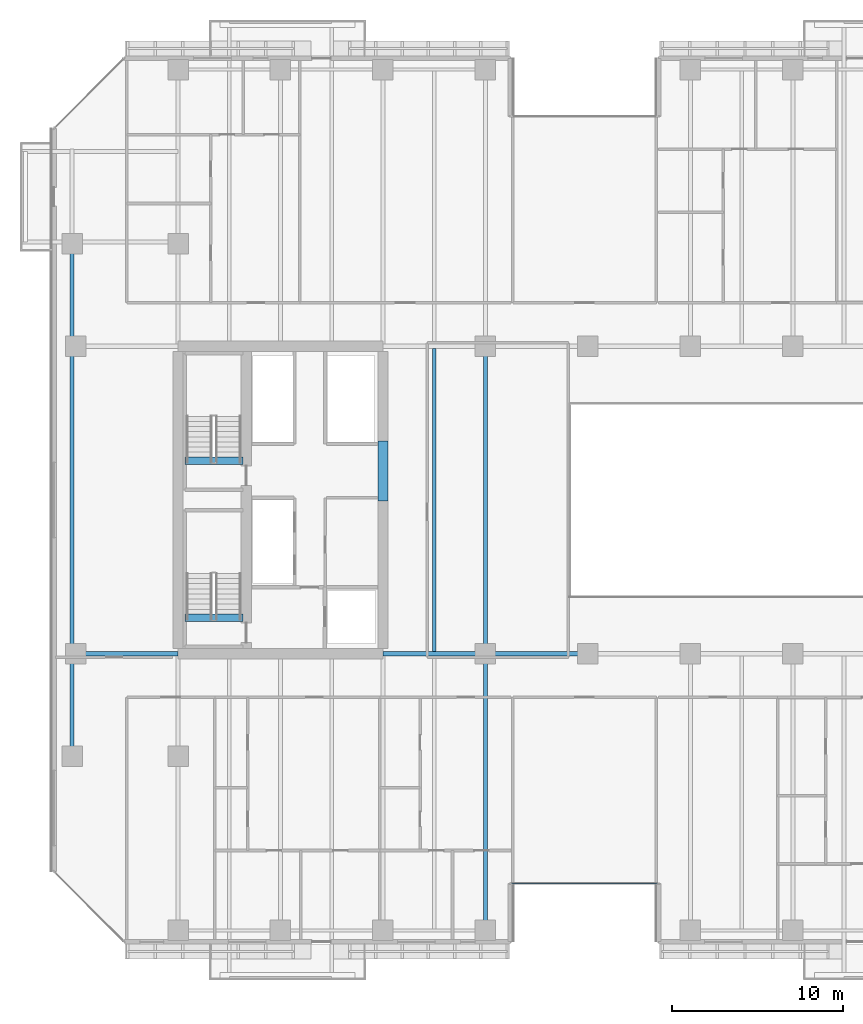
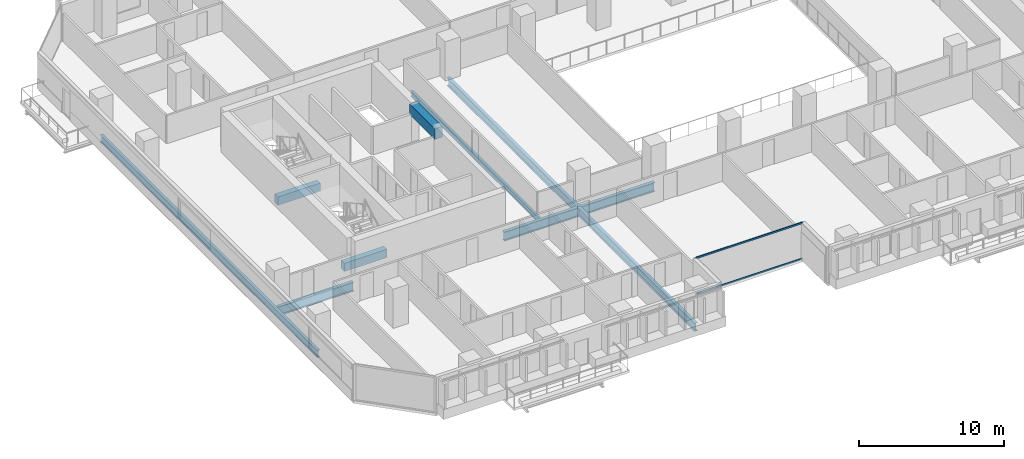
# One storey, part 5 of 33: 10 beams, 2 members, 1 element without a shape of its own.
"""IFC4 building model written with IfcOpenShell, lengths in metres."""

import ifcopenshell
import ifcopenshell.guid

model = None  # the IFC model being written
_history = None  # IfcOwnerHistory: only IFC2X3 demands one
_inside = {}  # id of a spatial element -> (the spatial element, [elements in it])
_under = {}  # id of a project, library or spatial element -> (it, [spatial elements below it])
_declared = {}  # id of a project -> (the project, [libraries it declares])
_typed = {}  # id of a type object -> (the type object, [elements of that type])
_made_of = {}  # id of a material, layer set ... -> (it, [elements and type objects made of it])


def new_model(schema):
    """Start an empty IFC model of exactly this schema.

    Asked for "IFC4X3", IfcOpenShell would pick the latest addendum, in which some entities
    have other attributes; the version numbers below select the first issue.
    IFC2X3 requires an IfcOwnerHistory on every rooted entity: one is made here for all.
    """
    global model, _history
    if schema == "IFC4X3":
        model = ifcopenshell.file(schema_version=(4, 3, 0, 0))
    else:
        model = ifcopenshell.file(schema=schema)
    _inside.clear()
    _under.clear()
    _declared.clear()
    _typed.clear()
    _made_of.clear()
    _history = None
    if model.schema == "IFC2X3":
        org = make("IfcOrganization", Name="unknown")
        user = make(
            "IfcPersonAndOrganization",
            ThePerson=make("IfcPerson", FamilyName="unknown"),
            TheOrganization=org,
        )
        app = make(
            "IfcApplication",
            ApplicationDeveloper=org,
            Version="unknown",
            ApplicationFullName="unknown",
            ApplicationIdentifier="unknown",
        )
        _history = make(
            "IfcOwnerHistory",
            OwningUser=user,
            OwningApplication=app,
            ChangeAction="ADDED",
            CreationDate=0,
        )
    return model


def make(cls, **values):
    """One entity of the class cls with the attributes given. An attribute that is None is left unset."""
    return model.create_entity(
        cls, **{name: value for name, value in values.items() if value is not None}
    )


def rooted(cls, **values):
    """An entity with a GlobalId (a new one), such as an element, a storey or a relation."""
    return make(cls, GlobalId=ifcopenshell.guid.new(), OwnerHistory=_history, **values)


def si_unit(unit_type, name, prefix=None):
    """IfcSIUnit, for example si_unit("LENGTHUNIT", "METRE", prefix="MILLI")."""
    return make("IfcSIUnit", UnitType=unit_type, Prefix=prefix, Name=name)


def assignment(units):
    """IfcUnitAssignment: the units of a project."""
    return None if units is None else make("IfcUnitAssignment", Units=units)


def point(xyz):
    """IfcCartesianPoint."""
    return None if xyz is None else make("IfcCartesianPoint", Coordinates=xyz)


def direction(xyz):
    """IfcDirection."""
    return None if xyz is None else make("IfcDirection", DirectionRatios=xyz)


def frame(location, z_axis=None, x_axis=None):
    """IfcAxis2Placement3D, a coordinate frame: its origin and axes. An axis left out is left unset."""
    return make(
        "IfcAxis2Placement3D",
        Location=point(location),
        Axis=direction(z_axis),
        RefDirection=direction(x_axis),
    )


def frame_2d(location, x_axis=None):
    """IfcAxis2Placement2D, a coordinate frame in the plane: its origin and x axis."""
    return make(
        "IfcAxis2Placement2D", Location=point(location), RefDirection=direction(x_axis)
    )


def origin():
    """The frame at (0, 0, 0) with its axes left unset."""
    return frame((0.0, 0.0, 0.0))


def origin_2d():
    """The frame at (0, 0) in the plane with its x axis left unset."""
    return frame_2d((0.0, 0.0))


def place(relative_to, where):
    """IfcLocalPlacement: puts the frame where relative to a parent placement (None: the world)."""
    return make(
        "IfcLocalPlacement", PlacementRelTo=relative_to, RelativePlacement=where
    )


def context(
    kind, dimensions, precision=None, world=None, true_north=None, identifier=None
):
    """IfcGeometricRepresentationContext, for example the 3D "Model" context."""
    return make(
        "IfcGeometricRepresentationContext",
        ContextIdentifier=identifier,
        ContextType=kind,
        CoordinateSpaceDimension=dimensions,
        Precision=precision,
        WorldCoordinateSystem=world,
        TrueNorth=true_north,
    )


def subcontext(parent, identifier, kind, view, scale=None):
    """IfcGeometricRepresentationSubContext, for example "Body" below "Model"."""
    return make(
        "IfcGeometricRepresentationSubContext",
        ContextIdentifier=identifier,
        ContextType=kind,
        ParentContext=parent,
        TargetScale=scale,
        TargetView=view,
    )


def project(units=None, contexts=None):
    """IfcProject with its units and contexts."""
    return rooted(
        "IfcProject",
        Name="project",
        RepresentationContexts=contexts,
        UnitsInContext=assignment(units),
    )


def spatial(cls, under=None, at=None, **own):
    """A site, building, storey or space (cls), placed at a placement, below another one or the project."""
    s = rooted(cls, ObjectPlacement=at, **own)
    if under is not None:
        _under.setdefault(under.id(), (under, []))[1].append(s)
    return s


def profile(cls, at=None, kind="AREA", **sizes):
    """A parametric profile (cls). Its sizes go by their IFC names, for example OverallWidth=200.0."""
    return make(cls, ProfileType=kind, Position=at, **sizes)


def rectangle(**sizes):
    """IfcRectangleProfileDef."""
    return profile("IfcRectangleProfileDef", **sizes)


def hollow_rectangle(**sizes):
    """IfcRectangleHollowProfileDef."""
    return profile("IfcRectangleHollowProfileDef", **sizes)


def i_section(**sizes):
    """IfcIShapeProfileDef."""
    return profile("IfcIShapeProfileDef", **sizes)


def extrude(swept, where, along, depth):
    """IfcExtrudedAreaSolid: the profile swept, set in the frame where, extruded along a direction by depth."""
    return make(
        "IfcExtrudedAreaSolid",
        SweptArea=swept,
        Position=where,
        ExtrudedDirection=direction(along),
        Depth=depth,
    )


def shape(context_of_items, identifier, shape_type, items):
    """IfcShapeRepresentation: the items that make up one representation, for example the "Body"."""
    return make(
        "IfcShapeRepresentation",
        ContextOfItems=context_of_items,
        RepresentationIdentifier=identifier,
        RepresentationType=shape_type,
        Items=items,
    )


def material(Name=None, Category=None):
    """IfcMaterial."""
    return make("IfcMaterial", Name=Name, Category=Category)


def layer(
    of_material, thickness, ventilated=None, Name=None, Category=None, Priority=None
):
    """IfcMaterialLayer: one layer of a wall or slab, of a material (None: an air gap)."""
    return make(
        "IfcMaterialLayer",
        Material=of_material,
        LayerThickness=thickness,
        IsVentilated=ventilated,
        Name=Name,
        Category=Category,
        Priority=Priority,
    )


def layer_set(layers, Name=None):
    """IfcMaterialLayerSet."""
    return make("IfcMaterialLayerSet", MaterialLayers=layers, LayerSetName=Name)


def material_profile(
    of_material, cross_section, Name=None, Category=None, Priority=None
):
    """IfcMaterialProfile: a cross section and its material."""
    return make(
        "IfcMaterialProfile",
        Name=Name,
        Material=of_material,
        Profile=cross_section,
        Priority=Priority,
        Category=Category,
    )


def profile_set(profiles, Name=None, composite=None):
    """IfcMaterialProfileSet."""
    return make(
        "IfcMaterialProfileSet",
        Name=Name,
        MaterialProfiles=profiles,
        CompositeProfile=composite,
    )


def made_of(thing, what):
    """Note that an element or type object is made of a material, layer set ...; save() writes the relation."""
    if what is not None:
        _made_of.setdefault(what.id(), (what, []))[1].append(thing)
    return thing


def type_object(cls, material=None, **own):
    """A type object (cls), such as IfcWallType, which elements share."""
    return made_of(rooted(cls, **own), material)


def element(
    cls,
    number,
    at=None,
    inside=None,
    cuts=None,
    type_object=None,
    material=None,
    context=None,
    identifier="Body",
    shape_type=None,
    held_by="IfcProductDefinitionShape",
    body=None,
    shapes=None,
    **own,
):
    """One element of the class cls, such as IfcWall. Its Tag is "e" and its number.

    at: its placement. inside: the storey or other place that contains it. cuts: it is an
    opening in that element (IfcRelVoidsElement). A single representation is given by context,
    identifier, shape_type and body (its items); several are given by shapes. held_by: the class
    of the entity that holds the representations. save() writes the other relations.
    """
    e = rooted(cls, Tag="e%d" % number, ObjectPlacement=at, **own)
    if body is not None:
        shapes = [shape(context, identifier, shape_type, body)]
    if shapes is not None:
        e.Representation = make(held_by, Representations=shapes)
    if inside is not None:
        _inside.setdefault(inside.id(), (inside, []))[1].append(e)
    if cuts is not None:
        rooted(
            "IfcRelVoidsElement", RelatingBuildingElement=cuts, RelatedOpeningElement=e
        )
    if type_object is not None:
        _typed.setdefault(type_object.id(), (type_object, []))[1].append(e)
    return made_of(e, material)


def aggregate(whole, parts):
    """IfcRelAggregates: a whole, such as a stair, and the parts it consists of."""
    return rooted("IfcRelAggregates", RelatingObject=whole, RelatedObjects=parts)


def save(model, path):
    """Write the relations noted so far, then the file.

    IfcRelAggregates (storeys below a building ...), IfcRelContainedInSpatialStructure (elements
    in a storey), IfcRelDefinesByType, IfcRelAssociatesMaterial and IfcRelDeclares: one each for
    every whole, place, type object, material and project.
    """
    for whole, parts in _under.values():
        aggregate(whole, parts)
    for where, things in _inside.values():
        rooted(
            "IfcRelContainedInSpatialStructure",
            RelatedElements=things,
            RelatingStructure=where,
        )
    for kind, things in _typed.values():
        rooted("IfcRelDefinesByType", RelatedObjects=things, RelatingType=kind)
    for what, things in _made_of.values():
        rooted("IfcRelAssociatesMaterial", RelatedObjects=things, RelatingMaterial=what)
    for by, libraries in _declared.values():
        rooted("IfcRelDeclares", RelatingContext=by, RelatedDefinitions=libraries)
    model.write(path)


model = new_model("IFC4")

# Units and contexts
model_context = context("Model", 3, precision=1e-05, world=origin(), true_north=direction((0.0, 1.0)))
body_context = subcontext(model_context, "Body", "Model", "MODEL_VIEW")
ifc_project = project(units=[si_unit("LENGTHUNIT", "METRE"), si_unit("AREAUNIT", "SQUARE_METRE"), si_unit("VOLUMEUNIT", "CUBIC_METRE"), si_unit("PLANEANGLEUNIT", "RADIAN"), si_unit("MASSUNIT", "GRAM", prefix="KILO")], contexts=[model_context])

# Site, building, storey
site_placement = place(None, origin())
site = spatial("IfcSite", under=ifc_project, at=site_placement, CompositionType="ELEMENT")
building_placement = place(site_placement, origin())
building = spatial("IfcBuilding", under=site, at=building_placement, Name="Tanjung Sevakor Pilgrim Tower", CompositionType="ELEMENT")
storey_placement = place(building_placement, frame((0.0, 0.0, 52.139892578125)))
storey = spatial("IfcBuildingStorey", under=building, at=storey_placement, Name="L14", CompositionType="ELEMENT", Elevation=52.139892578125)

# Beams
ifc_material_1 = material(Name="Steel S355J2", Category="steel")
ifc_material_profile_1 = material_profile(ifc_material_1, i_section(OverallWidth=0.26806640625, OverallDepth=0.769775390625, WebThickness=0.015625, FlangeThickness=0.025390625, FilletRadius=0.0166015625, at=origin_2d()))
ifc_profile_set_1 = profile_set([ifc_material_profile_1], Name="Steel S355J2")
beam_type_1 = type_object("IfcBeamType", Name="BM-B-G1-UB_762x267x197", PredefinedType="BEAM", material=ifc_profile_set_1)
for number, where, z_axis, x_axis, name in (
    (1, (18.0, 24.60009765625, -0.604736328125), (1.0, 0.0, 0.0), (0.0, 1.0, 0.0), "L14 Primary Floor Girder MAIN Y246-01"),
    (2, (36.0, 24.60009765625, -0.604736328125), (1.0, 0.0, 0.0), (0.0, 1.0, 0.0), "L14 Primary Floor Girder MAIN Y246-02"),
    (3, (42.0, 24.60009765625, -0.604736328125), (1.0, 0.0, 0.0), (0.0, 1.0, 0.0), "L14 Primary Floor Girder MAIN Y246-03"),
):
    element("IfcBeam", number, at=place(storey_placement, frame(where, z_axis=z_axis, x_axis=x_axis)), inside=storey, type_object=beam_type_1, Name=name, PredefinedType="BEAM", context=body_context, shape_type="SweptSolid", body=[
        extrude(i_section(OverallWidth=0.26806640625, OverallDepth=0.769775390625, WebThickness=0.015625, FlangeThickness=0.025390625, FilletRadius=0.0166015625, at=origin_2d()), origin(), (0.0, 0.0, 1.0), 6.0),
    ])
ifc_material_2 = material(Name="Steel S355J2", Category="steel")
ifc_material_profile_2 = material_profile(ifc_material_2, i_section(OverallWidth=0.25439453125, OverallDepth=0.6875, WebThickness=0.01318359375, FlangeThickness=0.02099609375, FilletRadius=0.01513671875, at=origin_2d()))
ifc_profile_set_2 = profile_set([ifc_material_profile_2], Name="Steel S355J2")
beam_type_2 = type_object("IfcBeamType", Name="BM-B-G2-UB_686x254x152", PredefinedType="BEAM", material=ifc_profile_set_2)
beam_1_placement = place(storey_placement, frame((42.0, 8.39990234375, -0.5634765625), z_axis=(0.0, 1.0, 0.0), x_axis=(-1.0, 0.0, 0.0)))
element("IfcBeam", 4, at=beam_1_placement, inside=storey, type_object=beam_type_2, Name="L14 MAIN Girder 010", PredefinedType="BEAM", context=body_context, shape_type="SweptSolid", body=[
    extrude(i_section(OverallWidth=0.25439453125, OverallDepth=0.6875, WebThickness=0.01318359375, FlangeThickness=0.02099609375, FilletRadius=0.01513671875, at=origin_2d()), origin(), (0.0, 0.0, 1.0), 16.2001953125),
])
beam_2_placement = place(storey_placement, frame((42.0, 24.60009765625, -0.5634765625), z_axis=(0.0, 1.0, 0.0), x_axis=(-1.0, 0.0, 0.0)))
element("IfcBeam", 5, at=beam_2_placement, inside=storey, type_object=beam_type_2, Name="L14 MAIN Girder 011", PredefinedType="BEAM", context=body_context, shape_type="SweptSolid", body=[
    extrude(i_section(OverallWidth=0.25439453125, OverallDepth=0.6875, WebThickness=0.01318359375, FlangeThickness=0.02099609375, FilletRadius=0.01513671875, at=origin_2d()), origin(), (0.0, 0.0, 1.0), 18.0),
])
ifc_material_3 = material(Name="Steel S355J2", Category="steel")
ifc_material_profile_3 = material_profile(ifc_material_3, i_section(OverallWidth=0.22900390625, OverallDepth=0.6123046875, WebThickness=0.011962890625, FlangeThickness=0.01953125, FilletRadius=0.0126953125, at=origin_2d()))
ifc_profile_set_3 = profile_set([ifc_material_profile_3], Name="Steel S355J2")
beam_type_3 = type_object("IfcBeamType", Name="BM-B-G4-UB_610x229x125", PredefinedType="BEAM", material=ifc_profile_set_3)
beam_3_placement = place(storey_placement, frame((17.800048828125, 18.60009765625, -0.52587890625), z_axis=(0.0, 1.0, 0.0), x_axis=(-1.0, 0.0, 0.0)))
element("IfcBeam", 6, at=beam_3_placement, inside=storey, type_object=beam_type_3, Name="L14 Short-End Edge Girder W", PredefinedType="BEAM", context=body_context, shape_type="SweptSolid", body=[
    extrude(i_section(OverallWidth=0.22900390625, OverallDepth=0.6123046875, WebThickness=0.011962890625, FlangeThickness=0.01953125, FilletRadius=0.0126953125, at=origin_2d()), origin(), (0.0, 0.0, 1.0), 30.0),
])
ifc_material_4 = material(Name="Steel S355J2", Category="steel")
ifc_material_profile_4 = material_profile(ifc_material_4, i_section(OverallWidth=0.19140625, OverallDepth=0.4599609375, WebThickness=0.010009765625, FlangeThickness=0.01611328125, FilletRadius=0.01025390625, at=origin_2d()))
ifc_profile_set_4 = profile_set([ifc_material_profile_4], Name="Steel S355J2")
beam_type_4 = type_object("IfcBeamType", Name="BM-B-J2-UB_457x191x82", PredefinedType="JOIST", material=ifc_profile_set_4)
beam_4_placement = place(storey_placement, frame((39.0, 24.73388671875, -0.449951171875), z_axis=(0.0, 1.0, 0.0), x_axis=(-1.0, 0.0, 0.0)))
element("IfcBeam", 7, at=beam_4_placement, inside=storey, type_object=beam_type_4, Name="L14 MAIN Joist 008", PredefinedType="JOIST", context=body_context, shape_type="SweptSolid", body=[
    extrude(i_section(OverallWidth=0.19140625, OverallDepth=0.4599609375, WebThickness=0.010009765625, FlangeThickness=0.01611328125, FilletRadius=0.01025390625, at=origin_2d()), origin(), (0.0, 0.0, 1.0), 17.732177734375),
])
ifc_material_5 = material(Name="Concrete C60/75", Category="concrete")
ifc_material_profile_5 = material_profile(ifc_material_5, rectangle(XDim=0.60009765625, YDim=0.89990234375, at=origin_2d()))
ifc_profile_set_5 = profile_set([ifc_material_profile_5], Name="Concrete C60/75")
beam_type_5 = type_object("IfcBeamType", Name="BM-B-LN1-RC-BM_600x900", PredefinedType="LINTEL", material=ifc_profile_set_5)
beam_5_placement = place(storey_placement, frame((36.0, 33.550048828125, 2.630126953125), z_axis=(0.0, 1.0, 0.0), x_axis=(-1.0, 0.0, 0.0)))
element("IfcBeam", 8, at=beam_5_placement, inside=storey, type_object=beam_type_5, Name="L14 W Core Coupling Lintel", PredefinedType="LINTEL", context=body_context, shape_type="SweptSolid", body=[
    extrude(rectangle(XDim=0.60009765625, YDim=0.89990234375, at=origin_2d()), origin(), (0.0, 0.0, 1.0), 3.5),
])
ifc_material_6 = material(Name="Concrete C60/75", Category="concrete")
ifc_material_profile_6 = material_profile(ifc_material_6, rectangle(XDim=0.449951171875, YDim=0.699951171875, at=origin_2d()))
ifc_profile_set_6 = profile_set([ifc_material_profile_6], Name="Concrete C60/75")
beam_type_6 = type_object("IfcBeamType", Name="BM-B-LN3-RC-BM_450x700", PredefinedType="LINTEL", material=ifc_profile_set_6)
for number, where, z_axis, x_axis, name in (
    (9, (24.39990234375, 26.699951171875, -0.349853515625), (1.0, 0.0, 0.0), (0.0, 1.0, 0.0), "L14 TS-W1 Stair Threshold Beam"),
    (10, (24.39990234375, 35.89990234375, -0.349853515625), (1.0, 0.0, 0.0), (0.0, 1.0, 0.0), "L14 TS-W2 Stair Threshold Beam"),
):
    element("IfcBeam", number, at=place(storey_placement, frame(where, z_axis=z_axis, x_axis=x_axis)), inside=storey, type_object=beam_type_6, Name=name, PredefinedType="LINTEL", context=body_context, shape_type="SweptSolid", body=[
        extrude(rectangle(XDim=0.449951171875, YDim=0.699951171875, at=origin_2d()), origin(), (0.0, 0.0, 1.0), 3.400146484375),
    ])

# Curtain wall, members
ifc_material_7 = material(Name="Aluminium 6063-T6 and Low-E Glass", Category="aluminium")
ifc_layer = layer(ifc_material_7, 0.179931640625)
ifc_layer_set = layer_set([ifc_layer], Name="CW-SYS-CLEFT")
curtain_wall_type = type_object("IfcCurtainWallType", Name="CW-SYS-CLEFT", PredefinedType="NOTDEFINED", material=ifc_layer_set)
curtain_wall_placement = place(storey_placement, origin())
curtain_wall = element("IfcCurtainWall", 11, at=curtain_wall_placement, inside=storey, type_object=curtain_wall_type, Name="L14 Curtain Wall CW-CLF-L14-2", PredefinedType="NOTDEFINED")
ifc_material_8 = material(Name="Aluminium 6063-T6", Category="aluminium")
ifc_material_profile_7 = material_profile(ifc_material_8, hollow_rectangle(XDim=0.06494140625, YDim=0.139892578125, WallThickness=0.00390625, at=origin_2d()))
ifc_profile_set_7 = profile_set([ifc_material_profile_7], Name="Aluminium 6063-T6")
member_type = type_object("IfcMemberType", Name="TYPE-CWT-1", PredefinedType="USERDEFINED", material=ifc_profile_set_7)
member_1_placement = place(storey_placement, frame((43.534912109375, 11.139892578125, 0.03271484375), z_axis=(1.0, 0.0, 0.0), x_axis=(0.0, 1.0, 0.0)))
member_1 = element("IfcMember", 12, at=member_1_placement, type_object=member_type, Name="CW-CLF transom 1.1", ObjectType="TRANSOM", PredefinedType="USERDEFINED", context=body_context, shape_type="SweptSolid", body=[
    extrude(hollow_rectangle(XDim=0.06494140625, YDim=0.139892578125, WallThickness=0.00390625, at=origin_2d()), origin(), (0.0, 0.0, 1.0), 8.530029296875),
])
member_2_placement = place(storey_placement, frame((43.534912109375, 11.139892578125, 3.047607421875), z_axis=(1.0, 0.0, 0.0), x_axis=(0.0, 1.0, 0.0)))
member_2 = element("IfcMember", 13, at=member_2_placement, type_object=member_type, Name="CW-CLF transom 1.2", ObjectType="TRANSOM", PredefinedType="USERDEFINED", context=body_context, shape_type="SweptSolid", body=[
    extrude(hollow_rectangle(XDim=0.06494140625, YDim=0.139892578125, WallThickness=0.00390625, at=origin_2d()), origin(), (0.0, 0.0, 1.0), 8.530029296875),
])
aggregate(curtain_wall, [member_1, member_2])

save(model, "model.ifc")
